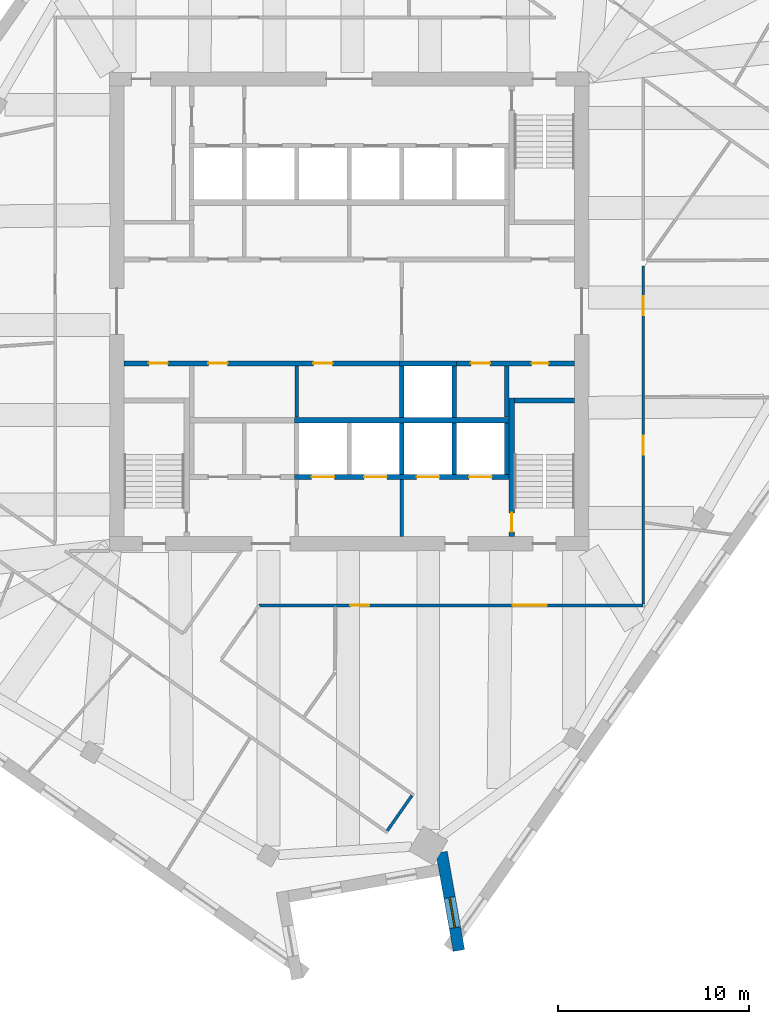
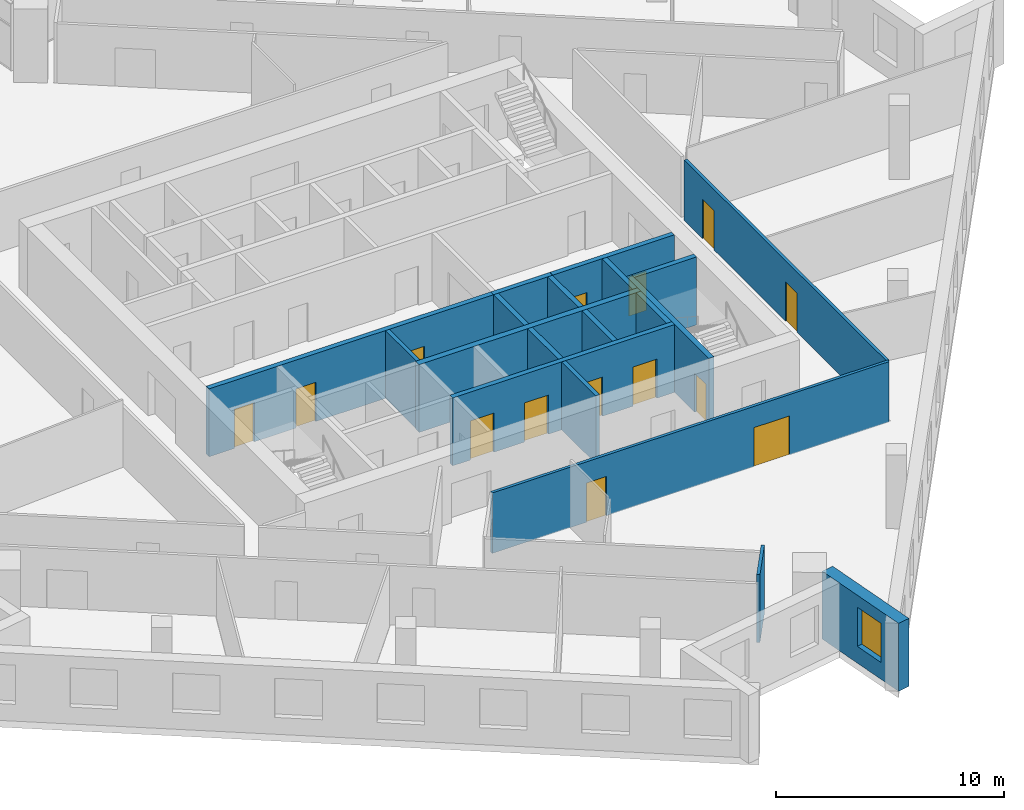
# One storey, part 7 of 13: 19 walls, 14 doors, 1 window, 15 openings.
"""IFC4 building model written with IfcOpenShell, lengths in metres."""

from ifc_helpers import new_model, si_unit, direction, frame, frame_2d, origin, place, context, subcontext, project, spatial, rectangle, extrude, material, layer, layer_set, type_object, element, fill, save


model = new_model("IFC4")

# Units and contexts
model_context = context("Model", 3, precision=1e-05, world=origin(), true_north=direction((0.0, 1.0)))
body_context = subcontext(model_context, "Body", "Model", "MODEL_VIEW")
ifc_project = project(units=[si_unit("LENGTHUNIT", "METRE"), si_unit("AREAUNIT", "SQUARE_METRE"), si_unit("VOLUMEUNIT", "CUBIC_METRE"), si_unit("PLANEANGLEUNIT", "RADIAN"), si_unit("MASSUNIT", "GRAM", prefix="KILO")], contexts=[model_context])

# Site, building, storey
site_placement = place(None, origin())
site = spatial("IfcSite", under=ifc_project, at=site_placement, CompositionType="ELEMENT")
building_placement = place(site_placement, origin())
building = spatial("IfcBuilding", under=site, at=building_placement, Name="Dilmun Exchange Tower", CompositionType="ELEMENT")
storey_placement = place(building_placement, frame((0.0, 0.0, 250.89990234375)))
storey = spatial("IfcBuildingStorey", under=building, at=storey_placement, Name="L59", CompositionType="ELEMENT", Elevation=250.89990234375)

# Walls
ifc_material_1 = material(Name="Concrete C40/50", Category="concrete")
ifc_layer_1 = layer(ifc_material_1, 0.199951171875)
ifc_layer_set_1 = layer_set([ifc_layer_1], Name="Concrete C40/50")
wall_type_1 = type_object("IfcWallType", Name="Core partition wall 200", PredefinedType="PARTITIONING", material=ifc_layer_set_1)
wall_1_placement = place(storey_placement, frame((2.75, -11.794921875, 0.0), z_axis=(0.0, 0.0, 1.0), x_axis=(0.0, 1.0, 0.0)))
element("IfcWall", 1, at=wall_1_placement, inside=storey, type_object=wall_type_1, Name="L59 core partition wall 02", PredefinedType="PARTITIONING", context=body_context, shape_type="SweptSolid", body=[
    extrude(rectangle(XDim=2.989990234375, YDim=0.199951171875, at=frame_2d((1.4951171875, 0.0))), origin(), (0.0, 0.0, 1.0), 3.64013671875),
])
wall_2_placement = place(storey_placement, frame((-2.75, -5.544921875, 0.0), z_axis=(0.0, 0.0, 1.0), x_axis=(0.0, 1.0, 0.0)))
element("IfcWall", 2, at=wall_2_placement, inside=storey, type_object=wall_type_1, Name="L59 core partition wall 08", PredefinedType="PARTITIONING", context=body_context, shape_type="SweptSolid", body=[
    extrude(rectangle(XDim=2.68994140625, YDim=0.199951171875, at=frame_2d((1.344970703125, 0.0))), origin(), (0.0, 0.0, 1.0), 3.64013671875),
])
ifc_layer_2 = layer(ifc_material_1, 0.25)
ifc_layer_set_2 = layer_set([ifc_layer_2], Name="Concrete C40/50")
wall_type_2 = type_object("IfcWallType", Name="Core partition wall 250", PredefinedType="PARTITIONING", material=ifc_layer_set_2)
wall_3_placement = place(storey_placement, frame((8.25, -5.544921875, 0.0), z_axis=(0.0, 0.0, 1.0), x_axis=(0.0, 1.0, 0.0)))
element("IfcWall", 3, at=wall_3_placement, inside=storey, type_object=wall_type_2, Name="L59 core partition wall 09", PredefinedType="PARTITIONING", context=body_context, shape_type="SweptSolid", body=[
    extrude(rectangle(XDim=2.68994140625, YDim=0.25, at=frame_2d((1.344970703125, 0.0))), origin(), (0.0, 0.0, 1.0), 3.64013671875),
])

# Wall, openings, doors
wall_4_placement = place(storey_placement, frame((-11.794921875, -2.72509765625, 0.0), z_axis=(0.0, 0.0, 1.0), x_axis=(1.0, 0.0, 0.0)))
wall_4 = element("IfcWall", 4, at=wall_4_placement, inside=storey, type_object=wall_type_2, Name="L59 core partition wall 10", PredefinedType="PARTITIONING", context=body_context, shape_type="SweptSolid", body=[
    extrude(rectangle(XDim=14.4150390625, YDim=0.25, at=frame_2d((7.20751953125, 0.0))), origin(), (0.0, 0.0, 1.0), 3.64013671875),
])
opening_1_placement = place(wall_4_placement, frame((1.294921875, 0.0, 0.0)))
opening_1 = element("IfcOpeningElement", 5, at=opening_1_placement, cuts=wall_4, Name="Opening CD4", PredefinedType="OPENING", context=body_context, shape_type="SweptSolid", body=[
    extrude(rectangle(XDim=1.0, YDim=2.10009765625, at=frame_2d((0.5, 1.050048828125))), frame((0.0, 0.135009765625, 0.0), z_axis=(0.0, -1.0, 0.0), x_axis=(1.0, 0.0, 0.0)), (0.0, 0.0, 1.0), 0.27001953125),
])
opening_2_placement = place(wall_4_placement, frame((4.419921875, 0.0, 0.0)))
opening_2 = element("IfcOpeningElement", 6, at=opening_2_placement, cuts=wall_4, Name="Opening CD4", PredefinedType="OPENING", context=body_context, shape_type="SweptSolid", body=[
    extrude(rectangle(XDim=1.0, YDim=2.10009765625, at=frame_2d((0.5, 1.050048828125))), frame((0.0, 0.135009765625, 0.0), z_axis=(0.0, -1.0, 0.0), x_axis=(1.0, 0.0, 0.0)), (0.0, 0.0, 1.0), 0.27001953125),
])
opening_3_placement = place(wall_4_placement, frame((9.919921875, 0.0, 0.0)))
opening_3 = element("IfcOpeningElement", 7, at=opening_3_placement, cuts=wall_4, Name="Opening CD4", PredefinedType="OPENING", context=body_context, shape_type="SweptSolid", body=[
    extrude(rectangle(XDim=1.0, YDim=2.10009765625, at=frame_2d((0.5, 1.050048828125))), frame((0.0, 0.135009765625, 0.0), z_axis=(0.0, -1.0, 0.0), x_axis=(1.0, 0.0, 0.0)), (0.0, 0.0, 1.0), 0.27001953125),
])
ifc_material_2 = material(Name="Fire-rated steel door set", Category="steel")
door_type_1 = type_object("IfcDoorType", Name="Core room door 1000x2100", OperationType="SINGLE_SWING_LEFT", PredefinedType="DOOR", material=ifc_material_2)
door_1_placement = place(opening_1_placement, origin())
door_1 = element("IfcDoor", 8, at=door_1_placement, inside=storey, type_object=door_type_1, Name="L59 door Accessible WC", OperationType="SINGLE_SWING_RIGHT", OverallHeight=2.10009765625, OverallWidth=1.0, PredefinedType="DOOR", context=body_context, shape_type="SweptSolid", body=[
    extrude(rectangle(XDim=1.0, YDim=2.10009765625, at=frame_2d((0.5, 1.050048828125))), frame((0.0, 0.02490234375, 0.0), z_axis=(0.0, -1.0, 0.0), x_axis=(1.0, 0.0, 0.0)), (0.0, 0.0, 1.0), 0.050048828125),
])
fill(opening_1, door_1)
door_2_placement = place(opening_2_placement, origin())
door_2 = element("IfcDoor", 9, at=door_2_placement, inside=storey, type_object=door_type_1, Name="L59 door Archive store", OperationType="SINGLE_SWING_RIGHT", OverallHeight=2.10009765625, OverallWidth=1.0, PredefinedType="DOOR", context=body_context, shape_type="SweptSolid", body=[
    extrude(rectangle(XDim=1.0, YDim=2.10009765625, at=frame_2d((0.5, 1.050048828125))), frame((0.0, 0.02490234375, 0.0), z_axis=(0.0, -1.0, 0.0), x_axis=(1.0, 0.0, 0.0)), (0.0, 0.0, 1.0), 0.050048828125),
])
fill(opening_2, door_2)
door_3_placement = place(opening_3_placement, origin())
door_3 = element("IfcDoor", 10, at=door_3_placement, inside=storey, type_object=door_type_1, Name="L59 door Switch room", OperationType="SINGLE_SWING_RIGHT", OverallHeight=2.10009765625, OverallWidth=1.0, PredefinedType="DOOR", context=body_context, shape_type="SweptSolid", body=[
    extrude(rectangle(XDim=1.0, YDim=2.10009765625, at=frame_2d((0.5, 1.050048828125))), frame((0.0, 0.02490234375, 0.0), z_axis=(0.0, -1.0, 0.0), x_axis=(1.0, 0.0, 0.0)), (0.0, 0.0, 1.0), 0.050048828125),
])
fill(opening_3, door_3)

wall_5_placement = place(storey_placement, frame((5.6298828125, -2.72509765625, 0.0), z_axis=(0.0, 0.0, 1.0), x_axis=(1.0, 0.0, 0.0)))
wall_5 = element("IfcWall", 11, at=wall_5_placement, inside=storey, type_object=wall_type_2, Name="L59 core partition wall 11", PredefinedType="PARTITIONING", context=body_context, shape_type="SweptSolid", body=[
    extrude(rectangle(XDim=6.1650390625, YDim=0.25, at=frame_2d((3.08251953125, 0.0))), origin(), (0.0, 0.0, 1.0), 3.64013671875),
])
opening_4_placement = place(wall_5_placement, frame((0.7451171875, 0.0, 0.0)))
opening_4 = element("IfcOpeningElement", 12, at=opening_4_placement, cuts=wall_5, Name="Opening CD4", PredefinedType="OPENING", context=body_context, shape_type="SweptSolid", body=[
    extrude(rectangle(XDim=1.0, YDim=2.10009765625, at=frame_2d((0.5, 1.050048828125))), frame((0.0, 0.135009765625, 0.0), z_axis=(0.0, -1.0, 0.0), x_axis=(1.0, 0.0, 0.0)), (0.0, 0.0, 1.0), 0.27001953125),
])
opening_5_placement = place(wall_5_placement, frame((3.919921875, 0.0, 0.0)))
opening_5 = element("IfcOpeningElement", 13, at=opening_5_placement, cuts=wall_5, Name="Opening CD6", PredefinedType="OPENING", context=body_context, shape_type="SweptSolid", body=[
    extrude(rectangle(XDim=0.89990234375, YDim=2.10009765625, at=frame_2d((0.449951171875, 1.050048828125))), frame((0.0, 0.135009765625, 0.0), z_axis=(0.0, -1.0, 0.0), x_axis=(1.0, 0.0, 0.0)), (0.0, 0.0, 1.0), 0.27001953125),
])
door_4_placement = place(opening_4_placement, origin())
door_4 = element("IfcDoor", 14, at=door_4_placement, inside=storey, type_object=door_type_1, Name="L59 door Cleaners' store", OperationType="SINGLE_SWING_RIGHT", OverallHeight=2.10009765625, OverallWidth=1.0, PredefinedType="DOOR", context=body_context, shape_type="SweptSolid", body=[
    extrude(rectangle(XDim=1.0, YDim=2.10009765625, at=frame_2d((0.5, 1.050048828125))), frame((0.0, 0.02490234375, 0.0), z_axis=(0.0, -1.0, 0.0), x_axis=(1.0, 0.0, 0.0)), (0.0, 0.0, 1.0), 0.050048828125),
])
fill(opening_4, door_4)
door_type_2 = type_object("IfcDoorType", Name="Core room door 900x2100", OperationType="SINGLE_SWING_LEFT", PredefinedType="DOOR", material=ifc_material_2)
door_5_placement = place(opening_5_placement, origin())
door_5 = element("IfcDoor", 15, at=door_5_placement, inside=storey, type_object=door_type_2, Name="L59 door Comms riser", OperationType="SINGLE_SWING_RIGHT", OverallHeight=2.10009765625, OverallWidth=0.89990234375, PredefinedType="DOOR", context=body_context, shape_type="SweptSolid", body=[
    extrude(rectangle(XDim=0.89990234375, YDim=2.10009765625, at=frame_2d((0.449951171875, 1.050048828125))), frame((0.0, 0.02490234375, 0.0), z_axis=(0.0, -1.0, 0.0), x_axis=(1.0, 0.0, 0.0)), (0.0, 0.0, 1.0), 0.050048828125),
])
fill(opening_5, door_5)

ifc_material_3 = material(Name="Corridor wall 150")
ifc_layer_3 = layer(ifc_material_3, 0.14990234375)
ifc_layer_set_3 = layer_set([ifc_layer_3], Name="Corridor wall 150")
wall_type_3 = type_object("IfcWallType", Name="Corridor wall 150", PredefinedType="PARTITIONING", material=ifc_layer_set_3)
wall_6_placement = place(storey_placement, frame((-4.722900390625, -15.39990234375, 0.0), z_axis=(0.0, 0.0, 1.0), x_axis=(1.0, 0.0, 0.0)))
wall_6 = element("IfcWall", 16, at=wall_6_placement, inside=storey, type_object=wall_type_3, Name="Corridor wall", PredefinedType="PARTITIONING", context=body_context, shape_type="SweptSolid", body=[
    extrude(rectangle(XDim=20.122802734375, YDim=0.14990234375, at=frame_2d((10.0615234375, 0.0))), origin(), (0.0, 0.0, 1.0), 3.239990234375),
])
opening_6_placement = place(wall_6_placement, frame((13.28173828125, 0.0, 0.0)))
opening_6 = element("IfcOpeningElement", 17, at=opening_6_placement, cuts=wall_6, Name="Opening TF57-D10", PredefinedType="OPENING", context=body_context, shape_type="SweptSolid", body=[
    extrude(rectangle(XDim=1.800048828125, YDim=2.10009765625, at=frame_2d((0.89990234375, 1.050048828125))), frame((0.0, 0.0849609375, 0.0), z_axis=(0.0, -1.0, 0.0), x_axis=(1.0, 0.0, 0.0)), (0.0, 0.0, 1.0), 0.169921875),
])
opening_7_placement = place(wall_6_placement, frame((4.78173828125, 0.0, 0.0)))
opening_7 = element("IfcOpeningElement", 18, at=opening_7_placement, cuts=wall_6, Name="Opening TF57-D11", PredefinedType="OPENING", context=body_context, shape_type="SweptSolid", body=[
    extrude(rectangle(XDim=1.0, YDim=2.10009765625, at=frame_2d((0.5, 1.050048828125))), frame((0.0, 0.0849609375, 0.0), z_axis=(0.0, -1.0, 0.0), x_axis=(1.0, 0.0, 0.0)), (0.0, 0.0, 1.0), 0.169921875),
])
ifc_material_4 = material(Name="Fire door 1000 x 2100")
door_type_3 = type_object("IfcDoorType", Name="Fire door 1000 x 2100", OperationType="NOTDEFINED", PredefinedType="DOOR", material=ifc_material_4)
door_6_placement = place(opening_7_placement, frame((1.0, 0.0, 0.0), z_axis=(0.0, 0.0, 1.0), x_axis=(-1.0, 0.0, 0.0)))
door_6 = element("IfcDoor", 19, at=door_6_placement, inside=storey, type_object=door_type_3, Name="Door TF57-D11", OperationType="SINGLE_SWING_RIGHT", OverallHeight=2.10009765625, OverallWidth=1.0, PredefinedType="DOOR", context=body_context, shape_type="SweptSolid", body=[
    extrude(rectangle(XDim=1.0, YDim=2.10009765625, at=frame_2d((0.5, 1.050048828125))), frame((0.0, 0.02490234375, 0.0), z_axis=(0.0, -1.0, 0.0), x_axis=(1.0, 0.0, 0.0)), (0.0, 0.0, 1.0), 0.050048828125),
])
fill(opening_7, door_6)
ifc_material_5 = material(Name="Fire door pair 1800 x 2100")
door_type_4 = type_object("IfcDoorType", Name="Fire door pair 1800 x 2100", OperationType="NOTDEFINED", PredefinedType="DOOR", material=ifc_material_5)
door_7_placement = place(opening_6_placement, frame((1.800048828125, 0.0, 0.0), z_axis=(0.0, 0.0, 1.0), x_axis=(-1.0, 0.0, 0.0)))
door_7 = element("IfcDoor", 20, at=door_7_placement, inside=storey, type_object=door_type_4, Name="Door TF57-D10", OperationType="DOUBLE_DOOR_SINGLE_SWING", OverallHeight=2.10009765625, OverallWidth=1.800048828125, PredefinedType="DOOR", context=body_context, shape_type="SweptSolid", body=[
    extrude(rectangle(XDim=1.800048828125, YDim=2.10009765625, at=frame_2d((0.89990234375, 1.050048828125))), frame((0.0, 0.02490234375, 0.0), z_axis=(0.0, -1.0, 0.0), x_axis=(1.0, 0.0, 0.0)), (0.0, 0.0, 1.0), 0.050048828125),
])
fill(opening_6, door_7)

# Wall
wall_7_placement = place(storey_placement, frame((1.993896484375, -27.20751953125, 0.0), z_axis=(0.0, 0.0, 1.0), x_axis=(0.573440493702, 0.819247215548, 0.0)))
element("IfcWall", 21, at=wall_7_placement, inside=storey, type_object=wall_type_3, Name="Corridor wall", PredefinedType="PARTITIONING", context=body_context, shape_type="SweptSolid", body=[
    extrude(rectangle(XDim=2.249755859375, YDim=0.14990234375, at=frame_2d((1.125, 0.0))), origin(), (0.0, 0.0, 1.0), 3.64013671875),
])

# Wall, openings, doors
wall_8_placement = place(storey_placement, frame((15.39990234375, -15.324951171875, 0.0), z_axis=(0.0, 0.0, 1.0), x_axis=(0.0, 1.0, 0.0)))
wall_8 = element("IfcWall", 22, at=wall_8_placement, inside=storey, type_object=wall_type_3, Name="Corridor wall", PredefinedType="PARTITIONING", context=body_context, shape_type="SweptSolid", body=[
    extrude(rectangle(XDim=17.71484375, YDim=0.14990234375, at=frame_2d((8.857421875, 0.0))), origin(), (0.0, 0.0, 1.0), 3.239990234375),
])
opening_8_placement = place(wall_8_placement, frame((7.81201171875, 0.0, 0.0)))
opening_8 = element("IfcOpeningElement", 23, at=opening_8_placement, cuts=wall_8, Name="Opening TF57-D17", PredefinedType="OPENING", context=body_context, shape_type="SweptSolid", body=[
    extrude(rectangle(XDim=1.0, YDim=2.10009765625, at=frame_2d((0.5, 1.050048828125))), frame((0.0, 0.0849609375, 0.0), z_axis=(0.0, -1.0, 0.0), x_axis=(1.0, 0.0, 0.0)), (0.0, 0.0, 1.0), 0.169921875),
])
opening_9_placement = place(wall_8_placement, frame((15.12255859375, 0.0, 0.0)))
opening_9 = element("IfcOpeningElement", 24, at=opening_9_placement, cuts=wall_8, Name="Opening TF57-D18", PredefinedType="OPENING", context=body_context, shape_type="SweptSolid", body=[
    extrude(rectangle(XDim=1.0, YDim=2.10009765625, at=frame_2d((0.5, 1.050048828125))), frame((0.0, 0.0849609375, 0.0), z_axis=(0.0, -1.0, 0.0), x_axis=(1.0, 0.0, 0.0)), (0.0, 0.0, 1.0), 0.169921875),
])
door_8_placement = place(opening_8_placement, frame((1.0, 0.0, 0.0), z_axis=(0.0, 0.0, 1.0), x_axis=(-1.0, 0.0, 0.0)))
door_8 = element("IfcDoor", 25, at=door_8_placement, inside=storey, type_object=door_type_3, Name="Door TF57-D17", OperationType="SINGLE_SWING_RIGHT", OverallHeight=2.10009765625, OverallWidth=1.0, PredefinedType="DOOR", context=body_context, shape_type="SweptSolid", body=[
    extrude(rectangle(XDim=1.0, YDim=2.10009765625, at=frame_2d((0.5, 1.050048828125))), frame((0.0, 0.02490234375, 0.0), z_axis=(0.0, -1.0, 0.0), x_axis=(1.0, 0.0, 0.0)), (0.0, 0.0, 1.0), 0.050048828125),
])
fill(opening_8, door_8)
door_9_placement = place(opening_9_placement, frame((1.0, 0.0, 0.0), z_axis=(0.0, 0.0, 1.0), x_axis=(-1.0, 0.0, 0.0)))
door_9 = element("IfcDoor", 26, at=door_9_placement, inside=storey, type_object=door_type_3, Name="Door TF57-D18", OperationType="SINGLE_SWING_RIGHT", OverallHeight=2.10009765625, OverallWidth=1.0, PredefinedType="DOOR", context=body_context, shape_type="SweptSolid", body=[
    extrude(rectangle(XDim=1.0, YDim=2.10009765625, at=frame_2d((0.5, 1.050048828125))), frame((0.0, 0.02490234375, 0.0), z_axis=(0.0, -1.0, 0.0), x_axis=(1.0, 0.0, 0.0)), (0.0, 0.0, 1.0), 0.050048828125),
])
fill(opening_9, door_9)

# Walls
ifc_layer_4 = layer(ifc_material_1, 0.300048828125)
ifc_layer_set_4 = layer_set([ifc_layer_4], Name="Concrete C40/50")
wall_type_4 = type_object("IfcWallType", Name="Lift shaft shared wall 300", PredefinedType="SOLIDWALL", material=ifc_layer_set_4)
wall_9_placement = place(storey_placement, frame((-2.875, -5.699951171875, 0.0), z_axis=(0.0, 0.0, 1.0), x_axis=(1.0, 0.0, 0.0)))
element("IfcWall", 27, at=wall_9_placement, inside=storey, type_object=wall_type_4, Name="L59 lift shaft rear wall S", PredefinedType="SOLIDWALL", context=body_context, shape_type="SweptSolid", body=[
    extrude(rectangle(XDim=11.25, YDim=0.300048828125, at=frame_2d((5.625, 0.0))), origin(), (0.0, 0.0, 1.0), 3.64013671875),
])
ifc_layer_5 = layer(ifc_material_1, 0.25)
ifc_layer_set_5 = layer_set([ifc_layer_5], Name="Concrete C40/50")
wall_type_5 = type_object("IfcWallType", Name="Lift shaft wall 250", PredefinedType="SOLIDWALL", material=ifc_layer_set_5)
wall_10_placement = place(storey_placement, frame((2.625, -2.72509765625, 0.0), z_axis=(0.0, 0.0, 1.0), x_axis=(1.0, 0.0, 0.0)))
element("IfcWall", 28, at=wall_10_placement, inside=storey, type_object=wall_type_5, Name="L59 lift shaft front wall S1", PredefinedType="SOLIDWALL", context=body_context, shape_type="SweptSolid", body=[
    extrude(rectangle(XDim=3.0, YDim=0.25, at=frame_2d((1.5, 0.0))), origin(), (0.0, 0.0, 1.0), 3.64013671875),
])
for number, where, z_axis, x_axis, name in (
    (29, (2.75, -5.550048828125, 0.0), (0.0, 0.0, 1.0), (0.0, 1.0, 0.0), "L59 lift shaft divider S14"),
    (30, (5.5, -5.550048828125, 0.0), (0.0, 0.0, 1.0), (0.0, 1.0, 0.0), "L59 lift shaft divider S15"),
):
    element("IfcWall", number, at=place(storey_placement, frame(where, z_axis=z_axis, x_axis=x_axis)), inside=storey, type_object=wall_type_5, Name=name, PredefinedType="SOLIDWALL", context=body_context, shape_type="SweptSolid", body=[
        extrude(rectangle(XDim=2.699951171875, YDim=0.25, at=frame_2d((1.35009765625, 0.0))), origin(), (0.0, 0.0, 1.0), 3.64013671875),
    ])

# Wall, openings, doors
wall_11_placement = place(storey_placement, frame((-2.875, -8.675048828125, 0.0), z_axis=(0.0, 0.0, 1.0), x_axis=(1.0, 0.0, 0.0)))
wall_11 = element("IfcWall", 31, at=wall_11_placement, inside=storey, type_object=wall_type_5, Name="L59 lift shaft front wall S2", PredefinedType="SOLIDWALL", context=body_context, shape_type="SweptSolid", body=[
    extrude(rectangle(XDim=11.25, YDim=0.25, at=frame_2d((5.625, 0.0))), origin(), (0.0, 0.0, 1.0), 3.64013671875),
])
opening_10_placement = place(wall_11_placement, frame((0.89990234375, 0.0, 0.0)))
opening_10 = element("IfcOpeningElement", 32, at=opening_10_placement, cuts=wall_11, Name="Opening LD", PredefinedType="OPENING", context=body_context, shape_type="SweptSolid", body=[
    extrude(rectangle(XDim=1.199951171875, YDim=2.10009765625, at=frame_2d((0.60009765625, 1.050048828125))), frame((0.0, 0.135009765625, 0.0), z_axis=(0.0, -1.0, 0.0), x_axis=(1.0, 0.0, 0.0)), (0.0, 0.0, 1.0), 0.27001953125),
])
opening_11_placement = place(wall_11_placement, frame((3.64990234375, 0.0, 0.0)))
opening_11 = element("IfcOpeningElement", 33, at=opening_11_placement, cuts=wall_11, Name="Opening LD", PredefinedType="OPENING", context=body_context, shape_type="SweptSolid", body=[
    extrude(rectangle(XDim=1.199951171875, YDim=2.10009765625, at=frame_2d((0.60009765625, 1.050048828125))), frame((0.0, 0.135009765625, 0.0), z_axis=(0.0, -1.0, 0.0), x_axis=(1.0, 0.0, 0.0)), (0.0, 0.0, 1.0), 0.27001953125),
])
opening_12_placement = place(wall_11_placement, frame((6.39990234375, 0.0, 0.0)))
opening_12 = element("IfcOpeningElement", 34, at=opening_12_placement, cuts=wall_11, Name="Opening LD", PredefinedType="OPENING", context=body_context, shape_type="SweptSolid", body=[
    extrude(rectangle(XDim=1.199951171875, YDim=2.10009765625, at=frame_2d((0.60009765625, 1.050048828125))), frame((0.0, 0.135009765625, 0.0), z_axis=(0.0, -1.0, 0.0), x_axis=(1.0, 0.0, 0.0)), (0.0, 0.0, 1.0), 0.27001953125),
])
opening_13_placement = place(wall_11_placement, frame((9.14990234375, 0.0, 0.0)))
opening_13 = element("IfcOpeningElement", 35, at=opening_13_placement, cuts=wall_11, Name="Opening LD", PredefinedType="OPENING", context=body_context, shape_type="SweptSolid", body=[
    extrude(rectangle(XDim=1.199951171875, YDim=2.10009765625, at=frame_2d((0.60009765625, 1.050048828125))), frame((0.0, 0.135009765625, 0.0), z_axis=(0.0, -1.0, 0.0), x_axis=(1.0, 0.0, 0.0)), (0.0, 0.0, 1.0), 0.27001953125),
])
door_type_5 = type_object("IfcDoorType", Name="Lift landing door 1200x2100", OperationType="DOUBLE_DOOR_SLIDING", PredefinedType="DOOR", material=ifc_material_2)
door_10_placement = place(opening_10_placement, origin())
door_10 = element("IfcDoor", 36, at=door_10_placement, inside=storey, type_object=door_type_5, Name="L59 landing door SV1", OperationType="DOUBLE_DOOR_SLIDING", OverallHeight=2.10009765625, OverallWidth=1.199951171875, PredefinedType="DOOR", context=body_context, shape_type="SweptSolid", body=[
    extrude(rectangle(XDim=1.199951171875, YDim=2.10009765625, at=frame_2d((0.60009765625, 1.050048828125))), frame((0.0, 0.02490234375, 0.0), z_axis=(0.0, -1.0, 0.0), x_axis=(1.0, 0.0, 0.0)), (0.0, 0.0, 1.0), 0.050048828125),
])
fill(opening_10, door_10)
door_11_placement = place(opening_11_placement, origin())
door_11 = element("IfcDoor", 37, at=door_11_placement, inside=storey, type_object=door_type_5, Name="L59 landing door SV2", OperationType="DOUBLE_DOOR_SLIDING", OverallHeight=2.10009765625, OverallWidth=1.199951171875, PredefinedType="DOOR", context=body_context, shape_type="SweptSolid", body=[
    extrude(rectangle(XDim=1.199951171875, YDim=2.10009765625, at=frame_2d((0.60009765625, 1.050048828125))), frame((0.0, 0.02490234375, 0.0), z_axis=(0.0, -1.0, 0.0), x_axis=(1.0, 0.0, 0.0)), (0.0, 0.0, 1.0), 0.050048828125),
])
fill(opening_11, door_11)
door_12_placement = place(opening_12_placement, origin())
door_12 = element("IfcDoor", 38, at=door_12_placement, inside=storey, type_object=door_type_5, Name="L59 landing door FF1", OperationType="DOUBLE_DOOR_SLIDING", OverallHeight=2.10009765625, OverallWidth=1.199951171875, PredefinedType="DOOR", context=body_context, shape_type="SweptSolid", body=[
    extrude(rectangle(XDim=1.199951171875, YDim=2.10009765625, at=frame_2d((0.60009765625, 1.050048828125))), frame((0.0, 0.02490234375, 0.0), z_axis=(0.0, -1.0, 0.0), x_axis=(1.0, 0.0, 0.0)), (0.0, 0.0, 1.0), 0.050048828125),
])
fill(opening_12, door_12)
door_13_placement = place(opening_13_placement, origin())
door_13 = element("IfcDoor", 39, at=door_13_placement, inside=storey, type_object=door_type_5, Name="L59 landing door FF2", OperationType="DOUBLE_DOOR_SLIDING", OverallHeight=2.10009765625, OverallWidth=1.199951171875, PredefinedType="DOOR", context=body_context, shape_type="SweptSolid", body=[
    extrude(rectangle(XDim=1.199951171875, YDim=2.10009765625, at=frame_2d((0.60009765625, 1.050048828125))), frame((0.0, 0.02490234375, 0.0), z_axis=(0.0, -1.0, 0.0), x_axis=(1.0, 0.0, 0.0)), (0.0, 0.0, 1.0), 0.050048828125),
])
fill(opening_13, door_13)

# Walls
for number, where, z_axis, x_axis, name in (
    (40, (2.75, -8.550048828125, 0.0), (0.0, 0.0, 1.0), (0.0, 1.0, 0.0), "L59 lift shaft divider S24"),
    (41, (5.5, -8.550048828125, 0.0), (0.0, 0.0, 1.0), (0.0, 1.0, 0.0), "L59 lift shaft divider S25"),
    (42, (8.25, -8.550048828125, 0.0), (0.0, 0.0, 1.0), (0.0, 1.0, 0.0), "L59 lift shaft divider S26"),
):
    element("IfcWall", number, at=place(storey_placement, frame(where, z_axis=z_axis, x_axis=x_axis)), inside=storey, type_object=wall_type_5, Name=name, PredefinedType="SOLIDWALL", context=body_context, shape_type="SweptSolid", body=[
        extrude(rectangle(XDim=2.699951171875, YDim=0.25, at=frame_2d((1.35009765625, 0.0))), origin(), (0.0, 0.0, 1.0), 3.64013671875),
    ])

# Wall, opening, window
ifc_material_6 = material(Name="Precast concrete C50/60", Category="concrete")
ifc_layer_6 = layer(ifc_material_6, 0.60009765625)
ifc_layer_set_6 = layer_set([ifc_layer_6], Name="Precast concrete C50/60")
wall_type_6 = type_object("IfcWallType", Name="Precast stone-clad wall 600", PredefinedType="STANDARD", material=ifc_layer_set_6)
wall_12_placement = place(storey_placement, frame((4.840087890625, -28.341796875, 0.0), z_axis=(0.0, 0.0, 1.0), x_axis=(0.173659930291, -0.984805680635, 0.0)))
wall_12 = element("IfcWall", 43, at=wall_12_placement, inside=storey, type_object=wall_type_6, Name="Facade wall L59-10", PredefinedType="STANDARD", context=body_context, shape_type="SweptSolid", body=[
    extrude(rectangle(XDim=5.219970703125, YDim=0.60009765625, at=frame_2d((2.60986328125, 0.0))), origin(), (0.0, 0.0, 1.0), 3.64013671875),
])
opening_14_placement = place(wall_12_placement, frame((2.402099609375, 0.0, 0.89990234375)))
opening_14 = element("IfcOpeningElement", 44, at=opening_14_placement, cuts=wall_12, Name="Opening W160-210", PredefinedType="OPENING", context=body_context, shape_type="SweptSolid", body=[
    extrude(rectangle(XDim=1.60009765625, YDim=2.10009765625, at=frame_2d((0.800048828125, 1.050048828125))), frame((0.0, 0.31005859375, 0.0), z_axis=(0.0, -1.0, 0.0), x_axis=(1.0, 0.0, 0.0)), (0.0, 0.0, 1.0), 0.6201171875),
])
ifc_material_7 = material(Name="Clear low-emissivity glass in aluminium frame", Category="aluminium")
window_type = type_object("IfcWindowType", Name="Punched window 1600 x 2100", PartitioningType="DOUBLE_PANEL_VERTICAL", PredefinedType="WINDOW", material=ifc_material_7)
window_placement = place(opening_14_placement, origin())
window = element("IfcWindow", 45, at=window_placement, inside=storey, type_object=window_type, Name="Window 11.1", OverallHeight=2.10009765625, OverallWidth=1.60009765625, PartitioningType="SINGLE_PANEL", PredefinedType="WINDOW", context=body_context, shape_type="SweptSolid", body=[
    extrude(rectangle(XDim=1.60009765625, YDim=2.10009765625, at=frame_2d((0.800048828125, 1.050048828125))), frame((0.0, 0.030029296875, 0.0), z_axis=(0.0, -1.0, 0.0), x_axis=(1.0, 0.0, 0.0)), (0.0, 0.0, 1.0), 0.06005859375),
])
fill(opening_14, window)

# Wall
ifc_layer_7 = layer(ifc_material_1, 0.25)
ifc_layer_set_7 = layer_set([ifc_layer_7], Name="Concrete C40/50")
wall_type_7 = type_object("IfcWallType", Name="Stair end wall 250", PredefinedType="SOLIDWALL", material=ifc_layer_set_7)
wall_13_placement = place(storey_placement, frame((8.64990234375, -4.675048828125, 0.0), z_axis=(0.0, 0.0, 1.0), x_axis=(1.0, 0.0, 0.0)))
element("IfcWall", 46, at=wall_13_placement, inside=storey, type_object=wall_type_7, Name="L59 ST3 far wall", PredefinedType="SOLIDWALL", context=body_context, shape_type="SweptSolid", body=[
    extrude(rectangle(XDim=3.150146484375, YDim=0.25, at=frame_2d((1.5751953125, 0.0))), origin(), (0.0, 0.0, 1.0), 3.64013671875),
])

# Wall, opening, door
ifc_layer_8 = layer(ifc_material_1, 0.27490234375)
ifc_layer_set_8 = layer_set([ifc_layer_8], Name="Concrete C40/50")
wall_type_8 = type_object("IfcWallType", Name="Stair wall 275", PredefinedType="SOLIDWALL", material=ifc_layer_set_8)
wall_14_placement = place(storey_placement, frame((8.512451171875, -4.550048828125, 0.0), z_axis=(0.0, 0.0, 1.0), x_axis=(0.0, -1.0, 0.0)))
wall_14 = element("IfcWall", 47, at=wall_14_placement, inside=storey, type_object=wall_type_8, Name="L59 ST3 wall to lift block", PredefinedType="SOLIDWALL", context=body_context, shape_type="SweptSolid", body=[
    extrude(rectangle(XDim=7.25, YDim=0.27490234375, at=frame_2d((3.625, 0.0))), origin(), (0.0, 0.0, 1.0), 3.64013671875),
])
opening_15_placement = place(wall_14_placement, frame((6.0, 0.0, 0.0)))
opening_15 = element("IfcOpeningElement", 48, at=opening_15_placement, cuts=wall_14, Name="Opening CD4", PredefinedType="OPENING", context=body_context, shape_type="SweptSolid", body=[
    extrude(rectangle(XDim=1.0, YDim=2.10009765625, at=frame_2d((0.5, 1.050048828125))), frame((0.0, 0.1474609375, 0.0), z_axis=(0.0, -1.0, 0.0), x_axis=(1.0, 0.0, 0.0)), (0.0, 0.0, 1.0), 0.294921875),
])
door_14_placement = place(opening_15_placement, origin())
door_14 = element("IfcDoor", 49, at=door_14_placement, inside=storey, type_object=door_type_1, Name="L59 door ST3 from lobby", OperationType="SINGLE_SWING_LEFT", OverallHeight=2.10009765625, OverallWidth=1.0, PredefinedType="DOOR", context=body_context, shape_type="SweptSolid", body=[
    extrude(rectangle(XDim=1.0, YDim=2.10009765625, at=frame_2d((0.5, 1.050048828125))), frame((0.0, 0.02490234375, 0.0), z_axis=(0.0, -1.0, 0.0), x_axis=(1.0, 0.0, 0.0)), (0.0, 0.0, 1.0), 0.050048828125),
])
fill(opening_15, door_14)

save(model, "model.ifc")
